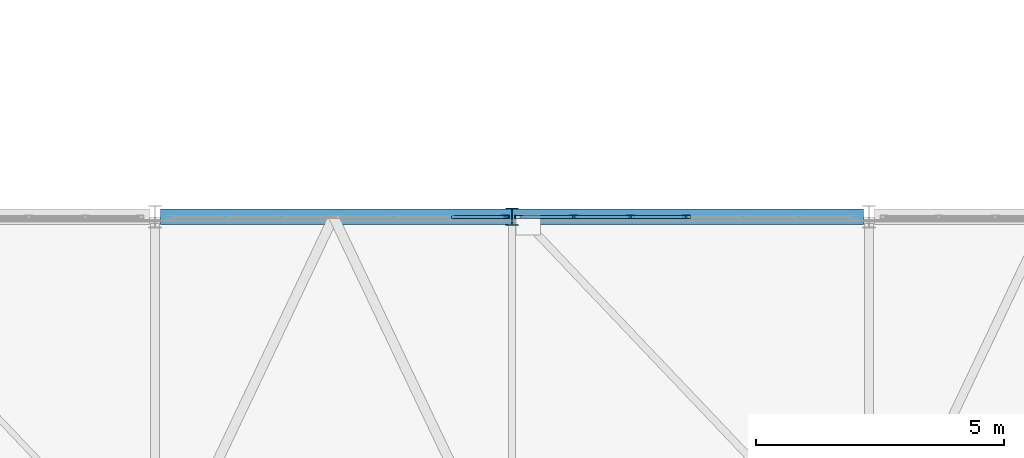
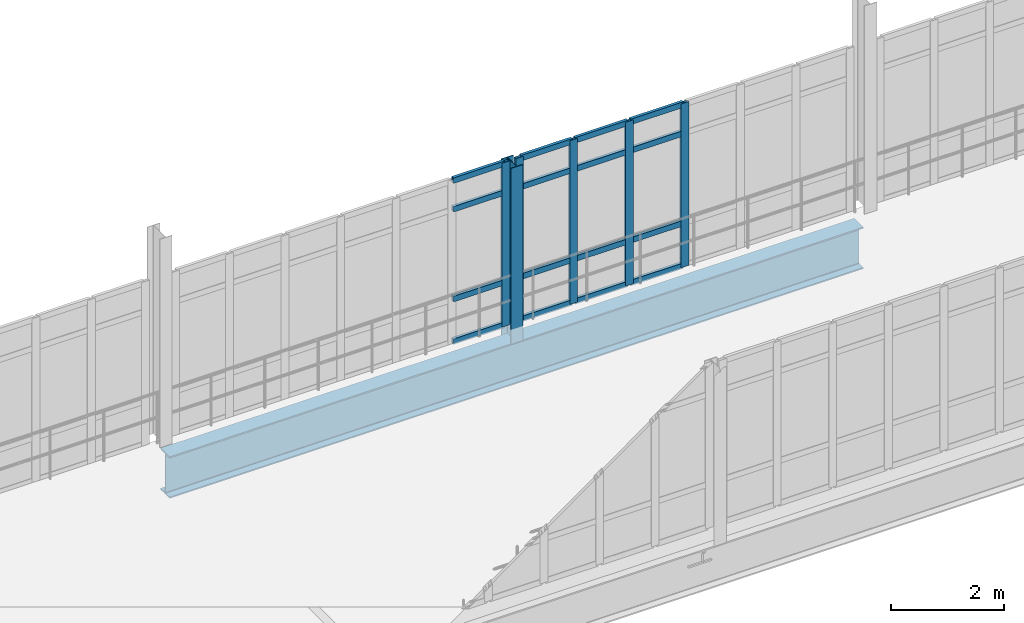
# One storey, part 24 of 124: 22 members, 1 beam, 2 elements without a shape of their own.
"""IFC4 building model written with IfcOpenShell, lengths in metres."""

from ifc_helpers import new_model, si_unit, direction, frame, origin, origin_2d, place, context, subcontext, project, spatial, hollow_rectangle, i_section, extrude, material, material_profile, profile_set, type_object, element, aggregate, save


model = new_model("IFC4")

# Units and contexts
model_context = context("Model", 3, precision=1e-05, world=origin(), true_north=direction((0.0, 1.0)))
body_context = subcontext(model_context, "Body", "Model", "MODEL_VIEW")
ifc_project = project(units=[si_unit("LENGTHUNIT", "METRE"), si_unit("AREAUNIT", "SQUARE_METRE"), si_unit("VOLUMEUNIT", "CUBIC_METRE"), si_unit("PLANEANGLEUNIT", "RADIAN"), si_unit("MASSUNIT", "GRAM", prefix="KILO")], contexts=[model_context])

# Site, building, storey
site_placement = place(None, origin())
site = spatial("IfcSite", under=ifc_project, at=site_placement, CompositionType="ELEMENT")
building_placement = place(site_placement, origin())
building = spatial("IfcBuilding", under=site, at=building_placement, Name="Kalluvel Institute of Natural Sciences", CompositionType="ELEMENT")
storey_placement = place(building_placement, frame((0.0, 0.0, 9.89990234375)))
storey = spatial("IfcBuildingStorey", under=building, at=storey_placement, Name="L02", CompositionType="ELEMENT", Elevation=9.89990234375)

# Beam
ifc_material_1 = material(Name="Steel E350 Grade 350", Category="steel")
ifc_material_profile_1 = material_profile(ifc_material_1, i_section(OverallWidth=0.320068359375, OverallDepth=0.89990234375, WebThickness=0.01611328125, FlangeThickness=0.028076171875, FilletRadius=0.01806640625, at=origin_2d()), Name="WPG 900x320")
ifc_profile_set_1 = profile_set([ifc_material_profile_1], Name="Steel E350 Grade 350")
beam_type = type_object("IfcBeamType", Name="BM-WPG900", PredefinedType="BEAM", material=ifc_profile_set_1)
beam_placement = place(storey_placement, frame((50.110107421875, 35.60009765625, -0.77001953125), z_axis=(1.0, 0.0, 0.0), x_axis=(0.0, 1.0, 0.0)))
element("IfcBeam", 1, at=beam_placement, inside=storey, type_object=beam_type, Name="L02 link bridge main plate-girder chord 29", PredefinedType="BEAM", context=body_context, shape_type="SweptSolid", body=[
    extrude(i_section(OverallWidth=0.320068359375, OverallDepth=0.89990234375, WebThickness=0.01611328125, FlangeThickness=0.028076171875, FilletRadius=0.01806640625, at=origin_2d()), origin(), (0.0, 0.0, 1.0), 14.179931640625),
])

# Curtain wall, member
ifc_material_2 = material(Name="Aluminium AW-6063 T6", Category="aluminium")
curtain_wall_type = type_object("IfcCurtainWallType", Name="CW-BRG-45", PredefinedType="USERDEFINED", material=ifc_material_2)
curtain_wall_1_placement = place(storey_placement, origin())
curtain_wall_1 = element("IfcCurtainWall", 2, at=curtain_wall_1_placement, inside=storey, type_object=curtain_wall_type, Name="L02 Gothic lancet curtain wall CWA-L02-X503-Y356", ObjectType="UNITISED LANCET FACADE", PredefinedType="USERDEFINED")
ifc_material_profile_2 = material_profile(ifc_material_2, hollow_rectangle(XDim=0.06005859375, YDim=0.159912109375, WallThickness=0.00390625, at=origin_2d()), Name="CWM 60x160")
ifc_profile_set_2 = profile_set([ifc_material_profile_2], Name="Aluminium AW-6063 T6")
member_type_1 = type_object("IfcMemberType", Name="CWM-60x160", PredefinedType="MULLION", material=ifc_profile_set_2)
member_1_placement = place(storey_placement, frame((57.06005859375, 35.60009765625, 0.0), z_axis=(0.0, 0.0, 1.0), x_axis=(0.0, 1.0, 0.0)))
member_1 = element("IfcMember", 3, at=member_1_placement, type_object=member_type_1, Name="CW-07 mullion 7", PredefinedType="MULLION", context=body_context, shape_type="SweptSolid", body=[
    extrude(hollow_rectangle(XDim=0.06005859375, YDim=0.159912109375, WallThickness=0.00390625, at=origin_2d()), origin(), (0.0, 0.0, 1.0), 3.5400390625),
])

# Curtain wall, members
curtain_wall_2_placement = place(storey_placement, origin())
curtain_wall_2 = element("IfcCurtainWall", 4, at=curtain_wall_2_placement, inside=storey, type_object=curtain_wall_type, Name="L02 Gothic lancet curtain wall CWA-L02-X573-Y356", ObjectType="UNITISED LANCET FACADE", PredefinedType="USERDEFINED")
member_2_placement = place(storey_placement, frame((57.340087890625, 35.60009765625, 0.0), z_axis=(0.0, 0.0, 1.0), x_axis=(0.0, 1.0, 0.0)))
member_2 = element("IfcMember", 5, at=member_2_placement, type_object=member_type_1, Name="CW-07 mullion 1", PredefinedType="MULLION", context=body_context, shape_type="SweptSolid", body=[
    extrude(hollow_rectangle(XDim=0.06005859375, YDim=0.159912109375, WallThickness=0.00390625, at=origin_2d()), origin(), (0.0, 0.0, 1.0), 3.5400390625),
])
member_3_placement = place(storey_placement, frame((58.44580078125, 35.60009765625, 0.0), z_axis=(0.0, 0.0, 1.0), x_axis=(0.0, 1.0, 0.0)))
member_3 = element("IfcMember", 6, at=member_3_placement, type_object=member_type_1, Name="CW-07 mullion 2", PredefinedType="MULLION", context=body_context, shape_type="SweptSolid", body=[
    extrude(hollow_rectangle(XDim=0.06005859375, YDim=0.159912109375, WallThickness=0.00390625, at=origin_2d()), origin(), (0.0, 0.0, 1.0), 3.5400390625),
])
member_4_placement = place(storey_placement, frame((59.581787109375, 35.60009765625, 0.0), z_axis=(0.0, 0.0, 1.0), x_axis=(0.0, 1.0, 0.0)))
member_4 = element("IfcMember", 7, at=member_4_placement, type_object=member_type_1, Name="CW-07 mullion 3", PredefinedType="MULLION", context=body_context, shape_type="SweptSolid", body=[
    extrude(hollow_rectangle(XDim=0.06005859375, YDim=0.159912109375, WallThickness=0.00390625, at=origin_2d()), origin(), (0.0, 0.0, 1.0), 3.5400390625),
])
member_5_placement = place(storey_placement, frame((60.717529296875, 35.60009765625, 0.0), z_axis=(0.0, 0.0, 1.0), x_axis=(0.0, 1.0, 0.0)))
member_5 = element("IfcMember", 8, at=member_5_placement, type_object=member_type_1, Name="CW-07 mullion 4", PredefinedType="MULLION", context=body_context, shape_type="SweptSolid", body=[
    extrude(hollow_rectangle(XDim=0.06005859375, YDim=0.159912109375, WallThickness=0.00390625, at=origin_2d()), origin(), (0.0, 0.0, 1.0), 3.5400390625),
])

# Member
ifc_material_profile_3 = material_profile(ifc_material_2, hollow_rectangle(XDim=0.06005859375, YDim=0.1201171875, WallThickness=0.00390625, at=origin_2d()), Name="CWT 60x120")
ifc_profile_set_3 = profile_set([ifc_material_profile_3], Name="Aluminium AW-6063 T6")
member_type_2 = type_object("IfcMemberType", Name="CWT-60x120", PredefinedType="USERDEFINED", material=ifc_profile_set_3)
member_6_placement = place(storey_placement, frame((55.984130859375, 35.60009765625, 0.030029296875), z_axis=(1.0, 0.0, 0.0), x_axis=(0.0, 1.0, 0.0)))
member_6 = element("IfcMember", 9, at=member_6_placement, type_object=member_type_2, Name="CW-07 transom 6.1", ObjectType="TRANSOM", PredefinedType="USERDEFINED", context=body_context, shape_type="SweptSolid", body=[
    extrude(hollow_rectangle(XDim=0.06005859375, YDim=0.1201171875, WallThickness=0.00390625, at=origin_2d()), origin(), (0.0, 0.0, 1.0), 1.0458984375),
])

member_7_placement = place(storey_placement, frame((55.984130859375, 35.60009765625, 0.9501953125), z_axis=(1.0, 0.0, 0.0), x_axis=(0.0, 1.0, 0.0)))
member_7 = element("IfcMember", 10, at=member_7_placement, type_object=member_type_2, Name="CW-07 transom 6.2", ObjectType="TRANSOM", PredefinedType="USERDEFINED", context=body_context, shape_type="SweptSolid", body=[
    extrude(hollow_rectangle(XDim=0.06005859375, YDim=0.1201171875, WallThickness=0.00390625, at=origin_2d()), origin(), (0.0, 0.0, 1.0), 1.0458984375),
])

member_8_placement = place(storey_placement, frame((55.984130859375, 35.60009765625, 2.89013671875), z_axis=(1.0, 0.0, 0.0), x_axis=(0.0, 1.0, 0.0)))
member_8 = element("IfcMember", 11, at=member_8_placement, type_object=member_type_2, Name="CW-07 transom 6.3", ObjectType="TRANSOM", PredefinedType="USERDEFINED", context=body_context, shape_type="SweptSolid", body=[
    extrude(hollow_rectangle(XDim=0.06005859375, YDim=0.1201171875, WallThickness=0.00390625, at=origin_2d()), origin(), (0.0, 0.0, 1.0), 1.0458984375),
])

member_9_placement = place(storey_placement, frame((55.984130859375, 35.60009765625, 3.510009765625), z_axis=(1.0, 0.0, 0.0), x_axis=(0.0, 1.0, 0.0)))
member_9 = element("IfcMember", 12, at=member_9_placement, type_object=member_type_2, Name="CW-07 transom 6.4", ObjectType="TRANSOM", PredefinedType="USERDEFINED", context=body_context, shape_type="SweptSolid", body=[
    extrude(hollow_rectangle(XDim=0.06005859375, YDim=0.1201171875, WallThickness=0.00390625, at=origin_2d()), origin(), (0.0, 0.0, 1.0), 1.0458984375),
])

aggregate(curtain_wall_1, [member_1, member_6, member_7, member_8, member_9])

member_10_placement = place(storey_placement, frame((57.3701171875, 35.60009765625, 0.030029296875), z_axis=(1.0, 0.0, 0.0), x_axis=(0.0, 1.0, 0.0)))
member_10 = element("IfcMember", 13, at=member_10_placement, type_object=member_type_2, Name="CW-07 transom 1.1", ObjectType="TRANSOM", PredefinedType="USERDEFINED", context=body_context, shape_type="SweptSolid", body=[
    extrude(hollow_rectangle(XDim=0.06005859375, YDim=0.1201171875, WallThickness=0.00390625, at=origin_2d()), origin(), (0.0, 0.0, 1.0), 1.045654296875),
])

member_11_placement = place(storey_placement, frame((57.3701171875, 35.60009765625, 0.9501953125), z_axis=(1.0, 0.0, 0.0), x_axis=(0.0, 1.0, 0.0)))
member_11 = element("IfcMember", 14, at=member_11_placement, type_object=member_type_2, Name="CW-07 transom 1.2", ObjectType="TRANSOM", PredefinedType="USERDEFINED", context=body_context, shape_type="SweptSolid", body=[
    extrude(hollow_rectangle(XDim=0.06005859375, YDim=0.1201171875, WallThickness=0.00390625, at=origin_2d()), origin(), (0.0, 0.0, 1.0), 1.045654296875),
])

member_12_placement = place(storey_placement, frame((57.3701171875, 35.60009765625, 2.89013671875), z_axis=(1.0, 0.0, 0.0), x_axis=(0.0, 1.0, 0.0)))
member_12 = element("IfcMember", 15, at=member_12_placement, type_object=member_type_2, Name="CW-07 transom 1.3", ObjectType="TRANSOM", PredefinedType="USERDEFINED", context=body_context, shape_type="SweptSolid", body=[
    extrude(hollow_rectangle(XDim=0.06005859375, YDim=0.1201171875, WallThickness=0.00390625, at=origin_2d()), origin(), (0.0, 0.0, 1.0), 1.045654296875),
])

member_13_placement = place(storey_placement, frame((57.3701171875, 35.60009765625, 3.510009765625), z_axis=(1.0, 0.0, 0.0), x_axis=(0.0, 1.0, 0.0)))
member_13 = element("IfcMember", 16, at=member_13_placement, type_object=member_type_2, Name="CW-07 transom 1.4", ObjectType="TRANSOM", PredefinedType="USERDEFINED", context=body_context, shape_type="SweptSolid", body=[
    extrude(hollow_rectangle(XDim=0.06005859375, YDim=0.1201171875, WallThickness=0.00390625, at=origin_2d()), origin(), (0.0, 0.0, 1.0), 1.045654296875),
])

member_14_placement = place(storey_placement, frame((58.475830078125, 35.60009765625, 0.030029296875), z_axis=(1.0, 0.0, 0.0), x_axis=(0.0, 1.0, 0.0)))
member_14 = element("IfcMember", 17, at=member_14_placement, type_object=member_type_2, Name="CW-07 transom 2.1", ObjectType="TRANSOM", PredefinedType="USERDEFINED", context=body_context, shape_type="SweptSolid", body=[
    extrude(hollow_rectangle(XDim=0.06005859375, YDim=0.1201171875, WallThickness=0.00390625, at=origin_2d()), origin(), (0.0, 0.0, 1.0), 1.075927734375),
])

member_15_placement = place(storey_placement, frame((58.475830078125, 35.60009765625, 0.9501953125), z_axis=(1.0, 0.0, 0.0), x_axis=(0.0, 1.0, 0.0)))
member_15 = element("IfcMember", 18, at=member_15_placement, type_object=member_type_2, Name="CW-07 transom 2.2", ObjectType="TRANSOM", PredefinedType="USERDEFINED", context=body_context, shape_type="SweptSolid", body=[
    extrude(hollow_rectangle(XDim=0.06005859375, YDim=0.1201171875, WallThickness=0.00390625, at=origin_2d()), origin(), (0.0, 0.0, 1.0), 1.075927734375),
])

member_16_placement = place(storey_placement, frame((58.475830078125, 35.60009765625, 2.89013671875), z_axis=(1.0, 0.0, 0.0), x_axis=(0.0, 1.0, 0.0)))
member_16 = element("IfcMember", 19, at=member_16_placement, type_object=member_type_2, Name="CW-07 transom 2.3", ObjectType="TRANSOM", PredefinedType="USERDEFINED", context=body_context, shape_type="SweptSolid", body=[
    extrude(hollow_rectangle(XDim=0.06005859375, YDim=0.1201171875, WallThickness=0.00390625, at=origin_2d()), origin(), (0.0, 0.0, 1.0), 1.075927734375),
])

member_17_placement = place(storey_placement, frame((58.475830078125, 35.60009765625, 3.510009765625), z_axis=(1.0, 0.0, 0.0), x_axis=(0.0, 1.0, 0.0)))
member_17 = element("IfcMember", 20, at=member_17_placement, type_object=member_type_2, Name="CW-07 transom 2.4", ObjectType="TRANSOM", PredefinedType="USERDEFINED", context=body_context, shape_type="SweptSolid", body=[
    extrude(hollow_rectangle(XDim=0.06005859375, YDim=0.1201171875, WallThickness=0.00390625, at=origin_2d()), origin(), (0.0, 0.0, 1.0), 1.075927734375),
])

member_18_placement = place(storey_placement, frame((59.611572265625, 35.60009765625, 0.030029296875), z_axis=(1.0, 0.0, 0.0), x_axis=(0.0, 1.0, 0.0)))
member_18 = element("IfcMember", 21, at=member_18_placement, type_object=member_type_2, Name="CW-07 transom 3.1", ObjectType="TRANSOM", PredefinedType="USERDEFINED", context=body_context, shape_type="SweptSolid", body=[
    extrude(hollow_rectangle(XDim=0.06005859375, YDim=0.1201171875, WallThickness=0.00390625, at=origin_2d()), origin(), (0.0, 0.0, 1.0), 1.075927734375),
])

member_19_placement = place(storey_placement, frame((59.611572265625, 35.60009765625, 0.9501953125), z_axis=(1.0, 0.0, 0.0), x_axis=(0.0, 1.0, 0.0)))
member_19 = element("IfcMember", 22, at=member_19_placement, type_object=member_type_2, Name="CW-07 transom 3.2", ObjectType="TRANSOM", PredefinedType="USERDEFINED", context=body_context, shape_type="SweptSolid", body=[
    extrude(hollow_rectangle(XDim=0.06005859375, YDim=0.1201171875, WallThickness=0.00390625, at=origin_2d()), origin(), (0.0, 0.0, 1.0), 1.075927734375),
])

member_20_placement = place(storey_placement, frame((59.611572265625, 35.60009765625, 2.89013671875), z_axis=(1.0, 0.0, 0.0), x_axis=(0.0, 1.0, 0.0)))
member_20 = element("IfcMember", 23, at=member_20_placement, type_object=member_type_2, Name="CW-07 transom 3.3", ObjectType="TRANSOM", PredefinedType="USERDEFINED", context=body_context, shape_type="SweptSolid", body=[
    extrude(hollow_rectangle(XDim=0.06005859375, YDim=0.1201171875, WallThickness=0.00390625, at=origin_2d()), origin(), (0.0, 0.0, 1.0), 1.075927734375),
])

member_21_placement = place(storey_placement, frame((59.611572265625, 35.60009765625, 3.510009765625), z_axis=(1.0, 0.0, 0.0), x_axis=(0.0, 1.0, 0.0)))
member_21 = element("IfcMember", 24, at=member_21_placement, type_object=member_type_2, Name="CW-07 transom 3.4", ObjectType="TRANSOM", PredefinedType="USERDEFINED", context=body_context, shape_type="SweptSolid", body=[
    extrude(hollow_rectangle(XDim=0.06005859375, YDim=0.1201171875, WallThickness=0.00390625, at=origin_2d()), origin(), (0.0, 0.0, 1.0), 1.075927734375),
])

aggregate(curtain_wall_2, [member_2, member_3, member_4, member_5, member_10, member_11, member_12, member_13, member_14, member_15, member_16, member_17, member_18, member_19, member_20, member_21])

ifc_material_profile_4 = material_profile(ifc_material_1, i_section(OverallWidth=0.25, OverallDepth=0.35009765625, WebThickness=0.010009765625, FlangeThickness=0.01171875, FilletRadius=0.011962890625, at=origin_2d()), Name="ISHB 350")
ifc_profile_set_4 = profile_set([ifc_material_profile_4], Name="Steel E350 Grade 350")
member_type_3 = type_object("IfcMemberType", Name="MB-ST-ISHB350", PredefinedType="STRUT", material=ifc_profile_set_4)
member_22_placement = place(storey_placement, frame((57.199951171875, 35.60009765625, -0.31982421875), z_axis=(0.0, 0.0, 1.0), x_axis=(1.0, 0.0, 0.0)))
element("IfcMember", 25, at=member_22_placement, inside=storey, type_object=member_type_3, Name="Glazed link bridge truss post 44", PredefinedType="STRUT", context=body_context, shape_type="SweptSolid", body=[
    extrude(i_section(OverallWidth=0.25, OverallDepth=0.35009765625, WebThickness=0.010009765625, FlangeThickness=0.01171875, FilletRadius=0.011962890625, at=origin_2d()), origin(), (0.0, 0.0, 1.0), 3.7998046875),
])

save(model, "model.ifc")
